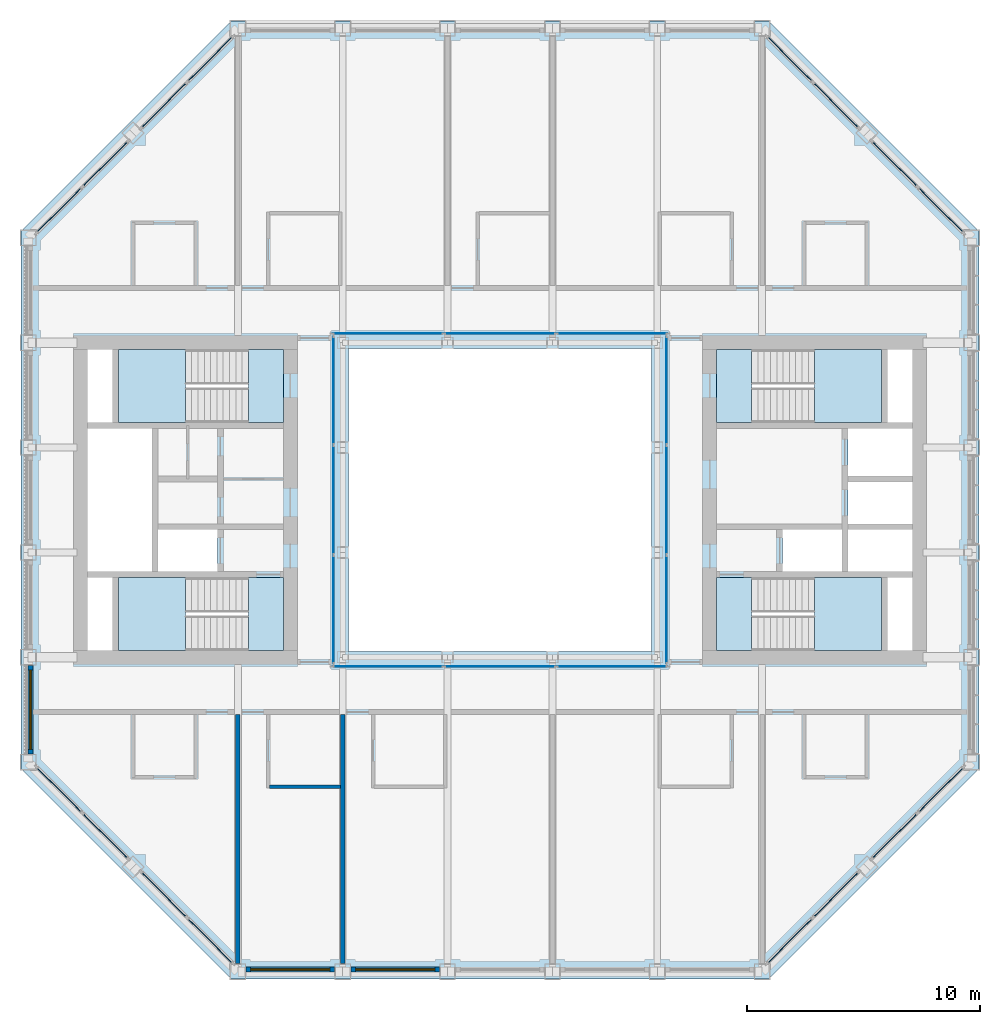
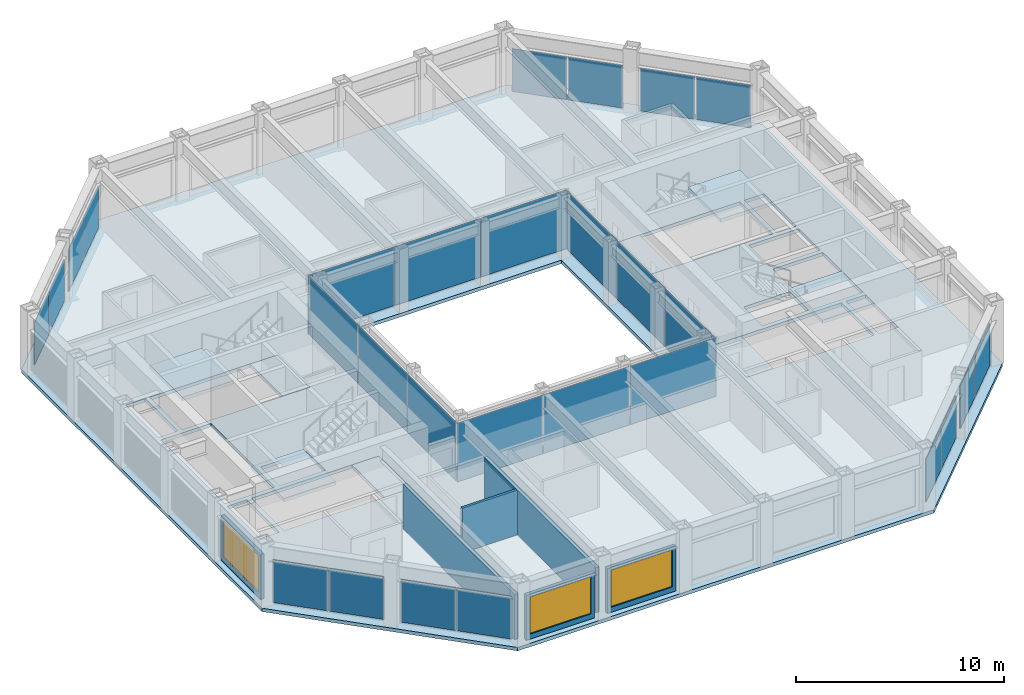
# One storey, part 8 of 16: 28 plates, 9 slabs, 6 walls, 3 windows, 3 openings, 16 elements without a shape of their own.
"""IFC4 building model written with IfcOpenShell, lengths in metres."""

from ifc_helpers import new_model, si_unit, direction, frame, frame_2d, origin, origin_2d, place, context, subcontext, project, spatial, polyline, rectangle, outline, extrude, material, layer, layer_set, type_object, element, fill, aggregate, save


model = new_model("IFC4")

# Units and contexts
model_context = context("Model", 3, precision=1e-05, world=origin(), true_north=direction((0.0, 1.0)))
body_context = subcontext(model_context, "Body", "Model", "MODEL_VIEW")
ifc_project = project(units=[si_unit("LENGTHUNIT", "METRE"), si_unit("AREAUNIT", "SQUARE_METRE"), si_unit("VOLUMEUNIT", "CUBIC_METRE"), si_unit("PLANEANGLEUNIT", "RADIAN"), si_unit("MASSUNIT", "GRAM", prefix="KILO")], contexts=[model_context])

# Site, building, storey
site_placement = place(None, origin())
site = spatial("IfcSite", under=ifc_project, at=site_placement, CompositionType="ELEMENT")
building_placement = place(site_placement, origin())
building = spatial("IfcBuilding", under=site, at=building_placement, Name="Msasa Ring Tower", CompositionType="ELEMENT")
storey_placement = place(building_placement, frame((0.0, 0.0, 215.800048828125)))
storey = spatial("IfcBuildingStorey", under=building, at=storey_placement, Name="L56", CompositionType="ELEMENT", Elevation=215.800048828125)

# Curtain wall, plates
ifc_material_1 = material(Name="Aluminium curtain wall with clear glass", Category="aluminium")
curtain_wall_type_1 = type_object("IfcCurtainWallType", Name="CW-C CHAMFER CORNER CURTAIN WALL", PredefinedType="NOTDEFINED", material=ifc_material_1)
curtain_wall_1_placement = place(storey_placement, origin())
curtain_wall_1 = element("IfcCurtainWall", 1, at=curtain_wall_1_placement, inside=storey, type_object=curtain_wall_type_1, Name="Chamfer corner curtain wall SE L56", PredefinedType="NOTDEFINED")
ifc_material_2 = material(Name="Clear laminated insulating glass unit", Category="glass")
ifc_layer_1 = layer(ifc_material_2, 0.031982421875)
ifc_layer_set_1 = layer_set([ifc_layer_1], Name="CW-C GLASS PANEL 32")
plate_type_1 = type_object("IfcPlateType", Name="CW-C GLASS PANEL 32", PredefinedType="CURTAIN_PANEL", material=ifc_layer_set_1)
plate_1_placement = place(storey_placement, frame((12.44140625, -18.917236328125, 0.06494140625), z_axis=(0.0, 0.0, 1.0), x_axis=(0.707106781187, 0.707106781187, 0.0)))
plate_1 = element("IfcPlate", 2, at=plate_1_placement, type_object=plate_type_1, Name="CW-C panel 1.1", PredefinedType="CURTAIN_PANEL", context=body_context, shape_type="SweptSolid", body=[
    extrude(rectangle(XDim=2.7294921875, YDim=0.031982421875, at=origin_2d()), origin(), (0.0, 0.0, 1.0), 2.4990234375),
])
plate_2_placement = place(storey_placement, frame((14.417236328125, -16.94140625, 0.06494140625), z_axis=(0.0, 0.0, 1.0), x_axis=(0.707106781187, 0.707106781187, 0.0)))
plate_2 = element("IfcPlate", 3, at=plate_2_placement, type_object=plate_type_1, Name="CW-C panel 2.1", PredefinedType="CURTAIN_PANEL", context=body_context, shape_type="SweptSolid", body=[
    extrude(rectangle(XDim=2.7294921875, YDim=0.031982421875, at=origin_2d()), origin(), (0.0, 0.0, 1.0), 2.4990234375),
])
aggregate(curtain_wall_1, [plate_1, plate_2])

curtain_wall_2_placement = place(storey_placement, origin())
curtain_wall_2 = element("IfcCurtainWall", 4, at=curtain_wall_2_placement, inside=storey, type_object=curtain_wall_type_1, Name="Chamfer corner curtain wall SE L56", PredefinedType="NOTDEFINED")
plate_3_placement = place(storey_placement, frame((16.94140625, -14.417236328125, 0.06494140625), z_axis=(0.0, 0.0, 1.0), x_axis=(0.707106781187, 0.707106781187, 0.0)))
plate_3 = element("IfcPlate", 5, at=plate_3_placement, type_object=plate_type_1, Name="CW-C panel 1.1", PredefinedType="CURTAIN_PANEL", context=body_context, shape_type="SweptSolid", body=[
    extrude(rectangle(XDim=2.7294921875, YDim=0.031982421875, at=origin_2d()), origin(), (0.0, 0.0, 1.0), 2.4990234375),
])
plate_4_placement = place(storey_placement, frame((18.917236328125, -12.44140625, 0.06494140625), z_axis=(0.0, 0.0, 1.0), x_axis=(0.707106781187, 0.707106781187, 0.0)))
plate_4 = element("IfcPlate", 6, at=plate_4_placement, type_object=plate_type_1, Name="CW-C panel 2.1", PredefinedType="CURTAIN_PANEL", context=body_context, shape_type="SweptSolid", body=[
    extrude(rectangle(XDim=2.7294921875, YDim=0.031982421875, at=origin_2d()), origin(), (0.0, 0.0, 1.0), 2.4990234375),
])
aggregate(curtain_wall_2, [plate_3, plate_4])

curtain_wall_3_placement = place(storey_placement, origin())
curtain_wall_3 = element("IfcCurtainWall", 7, at=curtain_wall_3_placement, inside=storey, type_object=curtain_wall_type_1, Name="Chamfer corner curtain wall NE L56", PredefinedType="NOTDEFINED")
plate_5_placement = place(storey_placement, frame((14.417236328125, 16.94140625, 0.06494140625), z_axis=(0.0, 0.0, 1.0), x_axis=(-0.707106781187, 0.707106781187, 0.0)))
plate_5 = element("IfcPlate", 8, at=plate_5_placement, type_object=plate_type_1, Name="CW-C panel 1.1", PredefinedType="CURTAIN_PANEL", context=body_context, shape_type="SweptSolid", body=[
    extrude(rectangle(XDim=2.7294921875, YDim=0.031982421875, at=origin_2d()), origin(), (0.0, 0.0, 1.0), 2.4990234375),
])
plate_6_placement = place(storey_placement, frame((12.44140625, 18.917236328125, 0.06494140625), z_axis=(0.0, 0.0, 1.0), x_axis=(-0.707106781187, 0.707106781187, 0.0)))
plate_6 = element("IfcPlate", 9, at=plate_6_placement, type_object=plate_type_1, Name="CW-C panel 2.1", PredefinedType="CURTAIN_PANEL", context=body_context, shape_type="SweptSolid", body=[
    extrude(rectangle(XDim=2.7294921875, YDim=0.031982421875, at=origin_2d()), origin(), (0.0, 0.0, 1.0), 2.4990234375),
])
aggregate(curtain_wall_3, [plate_5, plate_6])

curtain_wall_4_placement = place(storey_placement, origin())
curtain_wall_4 = element("IfcCurtainWall", 10, at=curtain_wall_4_placement, inside=storey, type_object=curtain_wall_type_1, Name="Chamfer corner curtain wall NE L56", PredefinedType="NOTDEFINED")
plate_7_placement = place(storey_placement, frame((18.917236328125, 12.44140625, 0.06494140625), z_axis=(0.0, 0.0, 1.0), x_axis=(-0.707106781187, 0.707106781187, 0.0)))
plate_7 = element("IfcPlate", 11, at=plate_7_placement, type_object=plate_type_1, Name="CW-C panel 1.1", PredefinedType="CURTAIN_PANEL", context=body_context, shape_type="SweptSolid", body=[
    extrude(rectangle(XDim=2.7294921875, YDim=0.031982421875, at=origin_2d()), origin(), (0.0, 0.0, 1.0), 2.4990234375),
])
plate_8_placement = place(storey_placement, frame((16.94140625, 14.417236328125, 0.06494140625), z_axis=(0.0, 0.0, 1.0), x_axis=(-0.707106781187, 0.707106781187, 0.0)))
plate_8 = element("IfcPlate", 12, at=plate_8_placement, type_object=plate_type_1, Name="CW-C panel 2.1", PredefinedType="CURTAIN_PANEL", context=body_context, shape_type="SweptSolid", body=[
    extrude(rectangle(XDim=2.7294921875, YDim=0.031982421875, at=origin_2d()), origin(), (0.0, 0.0, 1.0), 2.4990234375),
])
aggregate(curtain_wall_4, [plate_7, plate_8])

curtain_wall_5_placement = place(storey_placement, origin())
curtain_wall_5 = element("IfcCurtainWall", 13, at=curtain_wall_5_placement, inside=storey, type_object=curtain_wall_type_1, Name="Chamfer corner curtain wall NW L56", PredefinedType="NOTDEFINED")
plate_9_placement = place(storey_placement, frame((-16.94140625, 14.417236328125, 0.06494140625), z_axis=(0.0, 0.0, 1.0), x_axis=(-0.707106781187, -0.707106781187, 0.0)))
plate_9 = element("IfcPlate", 14, at=plate_9_placement, type_object=plate_type_1, Name="CW-C panel 1.1", PredefinedType="CURTAIN_PANEL", context=body_context, shape_type="SweptSolid", body=[
    extrude(rectangle(XDim=2.7294921875, YDim=0.031982421875, at=origin_2d()), origin(), (0.0, 0.0, 1.0), 2.4990234375),
])
plate_10_placement = place(storey_placement, frame((-18.917236328125, 12.44140625, 0.06494140625), z_axis=(0.0, 0.0, 1.0), x_axis=(-0.707106781187, -0.707106781187, 0.0)))
plate_10 = element("IfcPlate", 15, at=plate_10_placement, type_object=plate_type_1, Name="CW-C panel 2.1", PredefinedType="CURTAIN_PANEL", context=body_context, shape_type="SweptSolid", body=[
    extrude(rectangle(XDim=2.7294921875, YDim=0.031982421875, at=origin_2d()), origin(), (0.0, 0.0, 1.0), 2.4990234375),
])
aggregate(curtain_wall_5, [plate_9, plate_10])

curtain_wall_6_placement = place(storey_placement, origin())
curtain_wall_6 = element("IfcCurtainWall", 16, at=curtain_wall_6_placement, inside=storey, type_object=curtain_wall_type_1, Name="Chamfer corner curtain wall NW L56", PredefinedType="NOTDEFINED")
plate_11_placement = place(storey_placement, frame((-12.44140625, 18.917236328125, 0.06494140625), z_axis=(0.0, 0.0, 1.0), x_axis=(-0.707106781187, -0.707106781187, 0.0)))
plate_11 = element("IfcPlate", 17, at=plate_11_placement, type_object=plate_type_1, Name="CW-C panel 1.1", PredefinedType="CURTAIN_PANEL", context=body_context, shape_type="SweptSolid", body=[
    extrude(rectangle(XDim=2.7294921875, YDim=0.031982421875, at=origin_2d()), origin(), (0.0, 0.0, 1.0), 2.4990234375),
])
plate_12_placement = place(storey_placement, frame((-14.417236328125, 16.94140625, 0.06494140625), z_axis=(0.0, 0.0, 1.0), x_axis=(-0.707106781187, -0.707106781187, 0.0)))
plate_12 = element("IfcPlate", 18, at=plate_12_placement, type_object=plate_type_1, Name="CW-C panel 2.1", PredefinedType="CURTAIN_PANEL", context=body_context, shape_type="SweptSolid", body=[
    extrude(rectangle(XDim=2.7294921875, YDim=0.031982421875, at=origin_2d()), origin(), (0.0, 0.0, 1.0), 2.4990234375),
])
aggregate(curtain_wall_6, [plate_11, plate_12])

curtain_wall_7_placement = place(storey_placement, origin())
curtain_wall_7 = element("IfcCurtainWall", 19, at=curtain_wall_7_placement, inside=storey, type_object=curtain_wall_type_1, Name="Chamfer corner curtain wall SW L56", PredefinedType="NOTDEFINED")
plate_13_placement = place(storey_placement, frame((-18.917236328125, -12.44140625, 0.06494140625), z_axis=(0.0, 0.0, 1.0), x_axis=(0.707106781187, -0.707106781187, 0.0)))
plate_13 = element("IfcPlate", 20, at=plate_13_placement, type_object=plate_type_1, Name="CW-C panel 1.1", PredefinedType="CURTAIN_PANEL", context=body_context, shape_type="SweptSolid", body=[
    extrude(rectangle(XDim=2.7294921875, YDim=0.031982421875, at=origin_2d()), origin(), (0.0, 0.0, 1.0), 2.4990234375),
])
plate_14_placement = place(storey_placement, frame((-16.94140625, -14.417236328125, 0.06494140625), z_axis=(0.0, 0.0, 1.0), x_axis=(0.707106781187, -0.707106781187, 0.0)))
plate_14 = element("IfcPlate", 21, at=plate_14_placement, type_object=plate_type_1, Name="CW-C panel 2.1", PredefinedType="CURTAIN_PANEL", context=body_context, shape_type="SweptSolid", body=[
    extrude(rectangle(XDim=2.7294921875, YDim=0.031982421875, at=origin_2d()), origin(), (0.0, 0.0, 1.0), 2.4990234375),
])
aggregate(curtain_wall_7, [plate_13, plate_14])

curtain_wall_8_placement = place(storey_placement, origin())
curtain_wall_8 = element("IfcCurtainWall", 22, at=curtain_wall_8_placement, inside=storey, type_object=curtain_wall_type_1, Name="Chamfer corner curtain wall SW L56", PredefinedType="NOTDEFINED")
plate_15_placement = place(storey_placement, frame((-14.417236328125, -16.94140625, 0.06494140625), z_axis=(0.0, 0.0, 1.0), x_axis=(0.707106781187, -0.707106781187, 0.0)))
plate_15 = element("IfcPlate", 23, at=plate_15_placement, type_object=plate_type_1, Name="CW-C panel 1.1", PredefinedType="CURTAIN_PANEL", context=body_context, shape_type="SweptSolid", body=[
    extrude(rectangle(XDim=2.7294921875, YDim=0.031982421875, at=origin_2d()), origin(), (0.0, 0.0, 1.0), 2.4990234375),
])
plate_16_placement = place(storey_placement, frame((-12.44140625, -18.917236328125, 0.06494140625), z_axis=(0.0, 0.0, 1.0), x_axis=(0.707106781187, -0.707106781187, 0.0)))
plate_16 = element("IfcPlate", 24, at=plate_16_placement, type_object=plate_type_1, Name="CW-C panel 2.1", PredefinedType="CURTAIN_PANEL", context=body_context, shape_type="SweptSolid", body=[
    extrude(rectangle(XDim=2.7294921875, YDim=0.031982421875, at=origin_2d()), origin(), (0.0, 0.0, 1.0), 2.4990234375),
])
aggregate(curtain_wall_8, [plate_15, plate_16])

ifc_material_3 = material(Name="Aluminium curtain wall with clear glass", Category="aluminium")
curtain_wall_type_2 = type_object("IfcCurtainWallType", Name="CW-W LIGHT WELL CURTAIN WALL", PredefinedType="NOTDEFINED", material=ifc_material_3)
curtain_wall_9_placement = place(storey_placement, origin())
curtain_wall_9 = element("IfcCurtainWall", 25, at=curtain_wall_9_placement, inside=storey, type_object=curtain_wall_type_2, Name="Light well curtain wall N L56", PredefinedType="NOTDEFINED")
ifc_material_4 = material(Name="Clear laminated insulating glass unit", Category="glass")
ifc_layer_2 = layer(ifc_material_4, 0.028076171875)
ifc_layer_set_2 = layer_set([ifc_layer_2], Name="CW-W GLASS PANEL 28")
plate_type_2 = type_object("IfcPlateType", Name="CW-W GLASS PANEL 28", PredefinedType="CURTAIN_PANEL", material=ifc_layer_set_2)
plate_17_placement = place(storey_placement, frame((-4.804931640625, 7.14990234375, 0.06005859375), z_axis=(0.0, 0.0, 1.0), x_axis=(1.0, 0.0, 0.0)))
plate_17 = element("IfcPlate", 26, at=plate_17_placement, type_object=plate_type_2, Name="CW-W panel 1.1", PredefinedType="CURTAIN_PANEL", context=body_context, shape_type="SweptSolid", body=[
    extrude(rectangle(XDim=4.72998046875, YDim=0.028076171875, at=origin_2d()), origin(), (0.0, 0.0, 1.0), 3.429931640625),
])
plate_18_placement = place(storey_placement, frame((0.0, 7.14990234375, 0.06005859375), z_axis=(0.0, 0.0, 1.0), x_axis=(1.0, 0.0, 0.0)))
plate_18 = element("IfcPlate", 27, at=plate_18_placement, type_object=plate_type_2, Name="CW-W panel 2.1", PredefinedType="CURTAIN_PANEL", context=body_context, shape_type="SweptSolid", body=[
    extrude(rectangle(XDim=4.760009765625, YDim=0.028076171875, at=origin_2d()), origin(), (0.0, 0.0, 1.0), 3.429931640625),
])
plate_19_placement = place(storey_placement, frame((4.804931640625, 7.14990234375, 0.06005859375), z_axis=(0.0, 0.0, 1.0), x_axis=(1.0, 0.0, 0.0)))
plate_19 = element("IfcPlate", 28, at=plate_19_placement, type_object=plate_type_2, Name="CW-W panel 3.1", PredefinedType="CURTAIN_PANEL", context=body_context, shape_type="SweptSolid", body=[
    extrude(rectangle(XDim=4.72998046875, YDim=0.028076171875, at=origin_2d()), origin(), (0.0, 0.0, 1.0), 3.429931640625),
])
aggregate(curtain_wall_9, [plate_17, plate_18, plate_19])

curtain_wall_10_placement = place(storey_placement, origin())
curtain_wall_10 = element("IfcCurtainWall", 29, at=curtain_wall_10_placement, inside=storey, type_object=curtain_wall_type_2, Name="Light well curtain wall S L56", PredefinedType="NOTDEFINED")
plate_20_placement = place(storey_placement, frame((-4.804931640625, -7.14990234375, 0.06005859375), z_axis=(0.0, 0.0, 1.0), x_axis=(1.0, 0.0, 0.0)))
plate_20 = element("IfcPlate", 30, at=plate_20_placement, type_object=plate_type_2, Name="CW-W panel 1.1", PredefinedType="CURTAIN_PANEL", context=body_context, shape_type="SweptSolid", body=[
    extrude(rectangle(XDim=4.72998046875, YDim=0.028076171875, at=origin_2d()), origin(), (0.0, 0.0, 1.0), 3.429931640625),
])
plate_21_placement = place(storey_placement, frame((0.0, -7.14990234375, 0.06005859375), z_axis=(0.0, 0.0, 1.0), x_axis=(1.0, 0.0, 0.0)))
plate_21 = element("IfcPlate", 31, at=plate_21_placement, type_object=plate_type_2, Name="CW-W panel 2.1", PredefinedType="CURTAIN_PANEL", context=body_context, shape_type="SweptSolid", body=[
    extrude(rectangle(XDim=4.760009765625, YDim=0.028076171875, at=origin_2d()), origin(), (0.0, 0.0, 1.0), 3.429931640625),
])
plate_22_placement = place(storey_placement, frame((4.804931640625, -7.14990234375, 0.06005859375), z_axis=(0.0, 0.0, 1.0), x_axis=(1.0, 0.0, 0.0)))
plate_22 = element("IfcPlate", 32, at=plate_22_placement, type_object=plate_type_2, Name="CW-W panel 3.1", PredefinedType="CURTAIN_PANEL", context=body_context, shape_type="SweptSolid", body=[
    extrude(rectangle(XDim=4.72998046875, YDim=0.028076171875, at=origin_2d()), origin(), (0.0, 0.0, 1.0), 3.429931640625),
])
aggregate(curtain_wall_10, [plate_20, plate_21, plate_22])

curtain_wall_11_placement = place(storey_placement, origin())
curtain_wall_11 = element("IfcCurtainWall", 33, at=curtain_wall_11_placement, inside=storey, type_object=curtain_wall_type_2, Name="Light well curtain wall E L56", PredefinedType="NOTDEFINED")
plate_23_placement = place(storey_placement, frame((7.14990234375, -4.6982421875, 0.06005859375), z_axis=(0.0, 0.0, 1.0), x_axis=(0.0, 1.0, 0.0)))
plate_23 = element("IfcPlate", 34, at=plate_23_placement, type_object=plate_type_2, Name="CW-W panel 1.1", PredefinedType="CURTAIN_PANEL", context=body_context, shape_type="SweptSolid", body=[
    extrude(rectangle(XDim=4.623291015625, YDim=0.028076171875, at=origin_2d()), origin(), (0.0, 0.0, 1.0), 3.429931640625),
])
plate_24_placement = place(storey_placement, frame((7.14990234375, 0.0, 0.06005859375), z_axis=(0.0, 0.0, 1.0), x_axis=(0.0, 1.0, 0.0)))
plate_24 = element("IfcPlate", 35, at=plate_24_placement, type_object=plate_type_2, Name="CW-W panel 2.1", PredefinedType="CURTAIN_PANEL", context=body_context, shape_type="SweptSolid", body=[
    extrude(rectangle(XDim=4.6533203125, YDim=0.028076171875, at=origin_2d()), origin(), (0.0, 0.0, 1.0), 3.429931640625),
])
plate_25_placement = place(storey_placement, frame((7.14990234375, 4.6982421875, 0.06005859375), z_axis=(0.0, 0.0, 1.0), x_axis=(0.0, 1.0, 0.0)))
plate_25 = element("IfcPlate", 36, at=plate_25_placement, type_object=plate_type_2, Name="CW-W panel 3.1", PredefinedType="CURTAIN_PANEL", context=body_context, shape_type="SweptSolid", body=[
    extrude(rectangle(XDim=4.623291015625, YDim=0.028076171875, at=origin_2d()), origin(), (0.0, 0.0, 1.0), 3.429931640625),
])
aggregate(curtain_wall_11, [plate_23, plate_24, plate_25])

curtain_wall_12_placement = place(storey_placement, origin())
curtain_wall_12 = element("IfcCurtainWall", 37, at=curtain_wall_12_placement, inside=storey, type_object=curtain_wall_type_2, Name="Light well curtain wall W L56", PredefinedType="NOTDEFINED")
plate_26_placement = place(storey_placement, frame((-7.14990234375, -4.6982421875, 0.06005859375), z_axis=(0.0, 0.0, 1.0), x_axis=(0.0, 1.0, 0.0)))
plate_26 = element("IfcPlate", 38, at=plate_26_placement, type_object=plate_type_2, Name="CW-W panel 1.1", PredefinedType="CURTAIN_PANEL", context=body_context, shape_type="SweptSolid", body=[
    extrude(rectangle(XDim=4.623291015625, YDim=0.028076171875, at=origin_2d()), origin(), (0.0, 0.0, 1.0), 3.429931640625),
])
plate_27_placement = place(storey_placement, frame((-7.14990234375, 0.0, 0.06005859375), z_axis=(0.0, 0.0, 1.0), x_axis=(0.0, 1.0, 0.0)))
plate_27 = element("IfcPlate", 39, at=plate_27_placement, type_object=plate_type_2, Name="CW-W panel 2.1", PredefinedType="CURTAIN_PANEL", context=body_context, shape_type="SweptSolid", body=[
    extrude(rectangle(XDim=4.6533203125, YDim=0.028076171875, at=origin_2d()), origin(), (0.0, 0.0, 1.0), 3.429931640625),
])
plate_28_placement = place(storey_placement, frame((-7.14990234375, 4.6982421875, 0.06005859375), z_axis=(0.0, 0.0, 1.0), x_axis=(0.0, 1.0, 0.0)))
plate_28 = element("IfcPlate", 40, at=plate_28_placement, type_object=plate_type_2, Name="CW-W panel 3.1", PredefinedType="CURTAIN_PANEL", context=body_context, shape_type="SweptSolid", body=[
    extrude(rectangle(XDim=4.623291015625, YDim=0.028076171875, at=origin_2d()), origin(), (0.0, 0.0, 1.0), 3.429931640625),
])
aggregate(curtain_wall_12, [plate_26, plate_27, plate_28])

# Stair, slabs
ifc_material_5 = material(Name="Concrete C40/50", Category="concrete")
stair_type = type_object("IfcStairType", Name="STC CORE STAIR 22 RISERS 170.5", PredefinedType="HALF_TURN_STAIR", material=ifc_material_5)
stair_1_placement = place(storey_placement, origin())
stair_1 = element("IfcStair", 41, at=stair_1_placement, inside=storey, type_object=stair_type, Name="Core stair SEA L56", PredefinedType="HALF_TURN_STAIR")
ifc_material_6 = material(Name="Concrete C40/50", Category="concrete")
ifc_layer_3 = layer(ifc_material_6, 0.199951171875)
ifc_layer_set_3 = layer_set([ifc_layer_3], Name="LD1 CORE STAIR LANDING 200")
slab_type_1 = type_object("IfcSlabType", Name="LD1 CORE STAIR LANDING 200", PredefinedType="LANDING", material=ifc_layer_set_3)
slab_1_placement = place(storey_placement, frame((0.0, 0.0, -0.199951171875)))
slab_1 = element("IfcSlab", 42, at=slab_1_placement, type_object=slab_type_1, Name="SEA landing 1", PredefinedType="LANDING", context=body_context, shape_type="SweptSolid", body=[
    extrude(outline(polyline([(9.300048828125, -6.449951171875), (10.800048828125, -6.449951171875), (10.800048828125, -3.324951171875), (9.300048828125, -3.324951171875), (9.300048828125, -6.449951171875)])), origin(), (0.0, 0.0, 1.0), 0.199951171875),
])
slab_2_placement = place(storey_placement, frame((0.0, 0.0, 1.675048828125)))
slab_2 = element("IfcSlab", 43, at=slab_2_placement, type_object=slab_type_1, Name="SEA landing 2", PredefinedType="LANDING", context=body_context, shape_type="SweptSolid", body=[
    extrude(outline(polyline([(13.5, -6.449951171875), (16.375, -6.449951171875), (16.375, -3.324951171875), (13.5, -3.324951171875), (13.5, -6.449951171875)])), origin(), (0.0, 0.0, 1.0), 0.199951171875),
])
aggregate(stair_1, [slab_1, slab_2])

stair_2_placement = place(storey_placement, origin())
stair_2 = element("IfcStair", 44, at=stair_2_placement, inside=storey, type_object=stair_type, Name="Core stair SEB L56", PredefinedType="HALF_TURN_STAIR")
slab_3_placement = place(storey_placement, frame((0.0, 0.0, -0.199951171875)))
slab_3 = element("IfcSlab", 45, at=slab_3_placement, type_object=slab_type_1, Name="SEB landing 1", PredefinedType="LANDING", context=body_context, shape_type="SweptSolid", body=[
    extrude(outline(polyline([(9.300048828125, 3.324951171875), (10.800048828125, 3.324951171875), (10.800048828125, 6.449951171875), (9.300048828125, 6.449951171875), (9.300048828125, 3.324951171875)])), origin(), (0.0, 0.0, 1.0), 0.199951171875),
])
slab_4_placement = place(storey_placement, frame((0.0, 0.0, 1.675048828125)))
slab_4 = element("IfcSlab", 46, at=slab_4_placement, type_object=slab_type_1, Name="SEB landing 2", PredefinedType="LANDING", context=body_context, shape_type="SweptSolid", body=[
    extrude(outline(polyline([(13.5, 3.324951171875), (16.375, 3.324951171875), (16.375, 6.449951171875), (13.5, 6.449951171875), (13.5, 3.324951171875)])), origin(), (0.0, 0.0, 1.0), 0.199951171875),
])
aggregate(stair_2, [slab_3, slab_4])

stair_3_placement = place(storey_placement, origin())
stair_3 = element("IfcStair", 47, at=stair_3_placement, inside=storey, type_object=stair_type, Name="Core stair SWA L56", PredefinedType="HALF_TURN_STAIR")
slab_5_placement = place(storey_placement, frame((0.0, 0.0, -0.199951171875)))
slab_5 = element("IfcSlab", 48, at=slab_5_placement, type_object=slab_type_1, Name="SWA landing 1", PredefinedType="LANDING", context=body_context, shape_type="SweptSolid", body=[
    extrude(outline(polyline([(-10.800048828125, -6.449951171875), (-9.300048828125, -6.449951171875), (-9.300048828125, -3.324951171875), (-10.800048828125, -3.324951171875), (-10.800048828125, -6.449951171875)])), origin(), (0.0, 0.0, 1.0), 0.199951171875),
])
slab_6_placement = place(storey_placement, frame((0.0, 0.0, 1.675048828125)))
slab_6 = element("IfcSlab", 49, at=slab_6_placement, type_object=slab_type_1, Name="SWA landing 2", PredefinedType="LANDING", context=body_context, shape_type="SweptSolid", body=[
    extrude(outline(polyline([(-16.375, -6.449951171875), (-13.5, -6.449951171875), (-13.5, -3.324951171875), (-16.375, -3.324951171875), (-16.375, -6.449951171875)])), origin(), (0.0, 0.0, 1.0), 0.199951171875),
])
aggregate(stair_3, [slab_5, slab_6])

stair_4_placement = place(storey_placement, origin())
stair_4 = element("IfcStair", 50, at=stair_4_placement, inside=storey, type_object=stair_type, Name="Core stair SWB L56", PredefinedType="HALF_TURN_STAIR")
slab_7_placement = place(storey_placement, frame((0.0, 0.0, -0.199951171875)))
slab_7 = element("IfcSlab", 51, at=slab_7_placement, type_object=slab_type_1, Name="SWB landing 1", PredefinedType="LANDING", context=body_context, shape_type="SweptSolid", body=[
    extrude(outline(polyline([(-10.800048828125, 3.324951171875), (-9.300048828125, 3.324951171875), (-9.300048828125, 6.449951171875), (-10.800048828125, 6.449951171875), (-10.800048828125, 3.324951171875)])), origin(), (0.0, 0.0, 1.0), 0.199951171875),
])
slab_8_placement = place(storey_placement, frame((0.0, 0.0, 1.675048828125)))
slab_8 = element("IfcSlab", 52, at=slab_8_placement, type_object=slab_type_1, Name="SWB landing 2", PredefinedType="LANDING", context=body_context, shape_type="SweptSolid", body=[
    extrude(outline(polyline([(-16.375, 3.324951171875), (-13.5, 3.324951171875), (-13.5, 6.449951171875), (-16.375, 6.449951171875), (-16.375, 3.324951171875)])), origin(), (0.0, 0.0, 1.0), 0.199951171875),
])
aggregate(stair_4, [slab_7, slab_8])

# Slab
ifc_material_7 = material(Name="Concrete C40/50", Category="concrete")
ifc_layer_4 = layer(ifc_material_7, 0.199951171875)
ifc_layer_set_4 = layer_set([ifc_layer_4], Name="S8 SUITE FLOOR 200")
slab_type_2 = type_object("IfcSlabType", Name="S8 SUITE FLOOR 200", PredefinedType="FLOOR", material=ifc_layer_set_4)
slab_9_placement = place(storey_placement, frame((0.0, 0.0, -0.199951171875)))
element("IfcSlab", 53, at=slab_9_placement, inside=storey, type_object=slab_type_2, Name="Floor slab L56", PredefinedType="FLOOR", context=body_context, shape_type="SweptSolid", body=[
    extrude(outline(polyline([(-11.550048828125, -20.550048828125), (11.550048828125, -20.550048828125), (20.550048828125, -11.550048828125), (20.550048828125, 11.550048828125), (11.550048828125, 20.550048828125), (-11.550048828125, 20.550048828125), (-20.550048828125, 11.550048828125), (-20.550048828125, -11.550048828125), (-11.550048828125, -20.550048828125)]), holes=[polyline([(-6.5, -6.5), (6.5, -6.5), (6.5, 6.5), (-6.5, 6.5), (-6.5, -6.5)]), polyline([(9.300048828125, -6.449951171875), (16.375, -6.449951171875), (16.375, -3.324951171875), (9.300048828125, -3.324951171875), (9.300048828125, -6.449951171875)]), polyline([(9.300048828125, 3.324951171875), (16.375, 3.324951171875), (16.375, 6.449951171875), (9.300048828125, 6.449951171875), (9.300048828125, 3.324951171875)]), polyline([(12.125, -3.074951171875), (14.675048828125, -3.074951171875), (14.675048828125, -1.27490234375), (12.125, -1.27490234375), (12.125, -3.074951171875)]), polyline([(16.625, -6.449951171875), (17.699951171875, -6.449951171875), (17.699951171875, -3.324951171875), (16.625, -3.324951171875), (16.625, -6.449951171875)]), polyline([(16.625, 3.324951171875), (17.699951171875, 3.324951171875), (17.699951171875, 6.449951171875), (16.625, 6.449951171875), (16.625, 3.324951171875)]), polyline([(14.925048828125, -3.074951171875), (17.699951171875, -3.074951171875), (17.699951171875, -1.27490234375), (14.925048828125, -1.27490234375), (14.925048828125, -3.074951171875)]), polyline([(14.925048828125, -1.02490234375), (17.699951171875, -1.02490234375), (17.699951171875, 0.77490234375), (14.925048828125, 0.77490234375), (14.925048828125, -1.02490234375)]), polyline([(14.925048828125, 1.02490234375), (17.699951171875, 1.02490234375), (17.699951171875, 3.074951171875), (14.925048828125, 3.074951171875), (14.925048828125, 1.02490234375)]), polyline([(-16.375, -6.449951171875), (-9.300048828125, -6.449951171875), (-9.300048828125, -3.324951171875), (-16.375, -3.324951171875), (-16.375, -6.449951171875)]), polyline([(-16.375, 3.324951171875), (-9.300048828125, 3.324951171875), (-9.300048828125, 6.449951171875), (-16.375, 6.449951171875), (-16.375, 3.324951171875)]), polyline([(-14.675048828125, -3.074951171875), (-12.125, -3.074951171875), (-12.125, -1.27490234375), (-14.675048828125, -1.27490234375), (-14.675048828125, -3.074951171875)]), polyline([(-17.699951171875, -6.449951171875), (-16.625, -6.449951171875), (-16.625, -3.324951171875), (-17.699951171875, -3.324951171875), (-17.699951171875, -6.449951171875)]), polyline([(-17.699951171875, 3.324951171875), (-16.625, 3.324951171875), (-16.625, 6.449951171875), (-17.699951171875, 6.449951171875), (-17.699951171875, 3.324951171875)]), polyline([(-17.699951171875, -3.074951171875), (-14.925048828125, -3.074951171875), (-14.925048828125, 3.074951171875), (-17.699951171875, 3.074951171875), (-17.699951171875, -3.074951171875)])]), origin(), (0.0, 0.0, 1.0), 0.199951171875),
])

# Wall, opening, window
ifc_material_8 = material(Name="Terracotta rainscreen on blockwork", Category="masonry")
ifc_layer_5 = layer(ifc_material_8, 0.199951171875)
ifc_layer_set_5 = layer_set([ifc_layer_5], Name="FW1 TERRACOTTA-LINED INFILL BAY WALL 200")
wall_type_1 = type_object("IfcWallType", Name="FW1 TERRACOTTA-LINED INFILL BAY WALL 200", PredefinedType="SOLIDWALL", material=ifc_layer_set_5)
wall_1_placement = place(storey_placement, frame((-10.89501953125, -20.14990234375, 0.0), z_axis=(0.0, 0.0, 1.0), x_axis=(1.0, 0.0, 0.0)))
wall_1 = element("IfcWall", 54, at=wall_1_placement, inside=storey, type_object=wall_type_1, Name="Infill bay wall S L56 00", PredefinedType="SOLIDWALL", context=body_context, shape_type="SweptSolid", body=[
    extrude(rectangle(XDim=3.7900390625, YDim=0.199951171875, at=frame_2d((1.89501953125, 0.0))), origin(), (0.0, 0.0, 1.0), 2.62890625),
])
opening_1_placement = place(wall_1_placement, frame((0.195068359375, 0.0, 0.300048828125)))
opening_1 = element("IfcOpeningElement", 55, at=opening_1_placement, cuts=wall_1, Name="Opening WN3", PredefinedType="OPENING", context=body_context, shape_type="SweptSolid", body=[
    extrude(rectangle(XDim=3.39990234375, YDim=2.178955078125, at=frame_2d((1.699951171875, 1.08935546875))), frame((0.0, 0.10986328125, 0.0), z_axis=(0.0, -1.0, 0.0), x_axis=(1.0, 0.0, 0.0)), (0.0, 0.0, 1.0), 0.219970703125),
])
ifc_material_9 = material(Name="Aluminium frame with clear glass", Category="aluminium")
window_type = type_object("IfcWindowType", Name="WN3 SUITE WINDOW 3400x2179", PartitioningType="SINGLE_PANEL", PredefinedType="WINDOW", material=ifc_material_9)
window_1_placement = place(opening_1_placement, origin())
window_1 = element("IfcWindow", 56, at=window_1_placement, inside=storey, type_object=window_type, Name="Window S L56 00", OverallHeight=2.178955078125, OverallWidth=3.39990234375, PartitioningType="SINGLE_PANEL", PredefinedType="WINDOW", context=body_context, shape_type="SweptSolid", body=[
    extrude(rectangle(XDim=3.39990234375, YDim=2.178955078125, at=frame_2d((1.699951171875, 1.08935546875))), frame((0.0, 0.030029296875, 0.0), z_axis=(0.0, -1.0, 0.0), x_axis=(1.0, 0.0, 0.0)), (0.0, 0.0, 1.0), 0.06005859375),
])
fill(opening_1, window_1)

wall_2_placement = place(storey_placement, frame((-6.39501953125, -20.14990234375, 0.0), z_axis=(0.0, 0.0, 1.0), x_axis=(1.0, 0.0, 0.0)))
wall_2 = element("IfcWall", 57, at=wall_2_placement, inside=storey, type_object=wall_type_1, Name="Infill bay wall S L56 01", PredefinedType="SOLIDWALL", context=body_context, shape_type="SweptSolid", body=[
    extrude(rectangle(XDim=3.7900390625, YDim=0.199951171875, at=frame_2d((1.89501953125, 0.0))), origin(), (0.0, 0.0, 1.0), 2.62890625),
])
opening_2_placement = place(wall_2_placement, frame((0.195068359375, 0.0, 0.300048828125)))
opening_2 = element("IfcOpeningElement", 58, at=opening_2_placement, cuts=wall_2, Name="Opening WN3", PredefinedType="OPENING", context=body_context, shape_type="SweptSolid", body=[
    extrude(rectangle(XDim=3.39990234375, YDim=2.178955078125, at=frame_2d((1.699951171875, 1.08935546875))), frame((0.0, 0.10986328125, 0.0), z_axis=(0.0, -1.0, 0.0), x_axis=(1.0, 0.0, 0.0)), (0.0, 0.0, 1.0), 0.219970703125),
])
window_2_placement = place(opening_2_placement, origin())
window_2 = element("IfcWindow", 59, at=window_2_placement, inside=storey, type_object=window_type, Name="Window S L56 01", OverallHeight=2.178955078125, OverallWidth=3.39990234375, PartitioningType="SINGLE_PANEL", PredefinedType="WINDOW", context=body_context, shape_type="SweptSolid", body=[
    extrude(rectangle(XDim=3.39990234375, YDim=2.178955078125, at=frame_2d((1.699951171875, 1.08935546875))), frame((0.0, 0.030029296875, 0.0), z_axis=(0.0, -1.0, 0.0), x_axis=(1.0, 0.0, 0.0)), (0.0, 0.0, 1.0), 0.06005859375),
])
fill(opening_2, window_2)

wall_3_placement = place(storey_placement, frame((-20.14990234375, -10.89501953125, 0.0), z_axis=(0.0, 0.0, 1.0), x_axis=(0.0, 1.0, 0.0)))
wall_3 = element("IfcWall", 60, at=wall_3_placement, inside=storey, type_object=wall_type_1, Name="Infill bay wall W L56 21", PredefinedType="SOLIDWALL", context=body_context, shape_type="SweptSolid", body=[
    extrude(rectangle(XDim=3.7900390625, YDim=0.199951171875, at=frame_2d((1.89501953125, 0.0))), origin(), (0.0, 0.0, 1.0), 2.62890625),
])
opening_3_placement = place(wall_3_placement, frame((0.195068359375, 0.0, 0.300048828125)))
opening_3 = element("IfcOpeningElement", 61, at=opening_3_placement, cuts=wall_3, Name="Opening WN3", PredefinedType="OPENING", context=body_context, shape_type="SweptSolid", body=[
    extrude(rectangle(XDim=3.39990234375, YDim=2.178955078125, at=frame_2d((1.699951171875, 1.08935546875))), frame((0.0, 0.10986328125, 0.0), z_axis=(0.0, -1.0, 0.0), x_axis=(1.0, 0.0, 0.0)), (0.0, 0.0, 1.0), 0.219970703125),
])
window_3_placement = place(opening_3_placement, origin())
window_3 = element("IfcWindow", 62, at=window_3_placement, inside=storey, type_object=window_type, Name="Window W L56 21", OverallHeight=2.178955078125, OverallWidth=3.39990234375, PartitioningType="SINGLE_PANEL", PredefinedType="WINDOW", context=body_context, shape_type="SweptSolid", body=[
    extrude(rectangle(XDim=3.39990234375, YDim=2.178955078125, at=frame_2d((1.699951171875, 1.08935546875))), frame((0.0, 0.030029296875, 0.0), z_axis=(0.0, -1.0, 0.0), x_axis=(1.0, 0.0, 0.0)), (0.0, 0.0, 1.0), 0.06005859375),
])
fill(opening_3, window_3)

# Walls
ifc_material_10 = material(Name="Dense concrete blockwork, plastered both faces", Category="masonry")
ifc_layer_6 = layer(ifc_material_10, 0.25)
ifc_layer_set_6 = layer_set([ifc_layer_6], Name="PT3 APARTMENT SEPARATING WALL 250")
wall_type_2 = type_object("IfcWallType", Name="PT3 APARTMENT SEPARATING WALL 250", PredefinedType="PARTITIONING", material=ifc_layer_set_6)
for number, where, z_axis, x_axis, name in (
    (63, (-11.25, -19.89990234375, 0.0), (0.0, 0.0, 1.0), (0.0, 1.0, 0.0), "Party wall L56-PWS-11.25"),
    (64, (-6.75, -19.89990234375, 0.0), (0.0, 0.0, 1.0), (0.0, 1.0, 0.0), "Party wall L56-PWS-6.75"),
):
    element("IfcWall", number, at=place(storey_placement, frame(where, z_axis=z_axis, x_axis=x_axis)), inside=storey, type_object=wall_type_2, Name=name, PredefinedType="PARTITIONING", context=body_context, shape_type="SweptSolid", body=[
        extrude(rectangle(XDim=10.699951171875, YDim=0.199951171875, at=frame_2d((5.35009765625, 0.0))), origin(), (0.0, 0.0, 1.0), 2.62890625),
    ])
ifc_material_11 = material(Name="Moisture-resistant board on steel studs with a concealed cistern and pipe void, tiled", Category="steel")
ifc_layer_7 = layer(ifc_material_11, 0.14990234375)
ifc_layer_set_7 = layer_set([ifc_layer_7], Name="PT4 BATHROOM WET WALL 150")
wall_type_3 = type_object("IfcWallType", Name="PT4 BATHROOM WET WALL 150", PredefinedType="PARTITIONING", material=ifc_layer_set_7)
wall_4_placement = place(storey_placement, frame((-9.89990234375, -12.300048828125, 0.0), z_axis=(0.0, 0.0, 1.0), x_axis=(1.0, 0.0, 0.0)))
element("IfcWall", 65, at=wall_4_placement, inside=storey, type_object=wall_type_3, Name="Partition L56-JS00BY", PredefinedType="PARTITIONING", context=body_context, shape_type="SweptSolid", body=[
    extrude(rectangle(XDim=3.0498046875, YDim=0.14990234375, at=frame_2d((1.52490234375, 0.0))), origin(), (0.0, 0.0, 1.0), 2.62890625),
])

save(model, "model.ifc")
